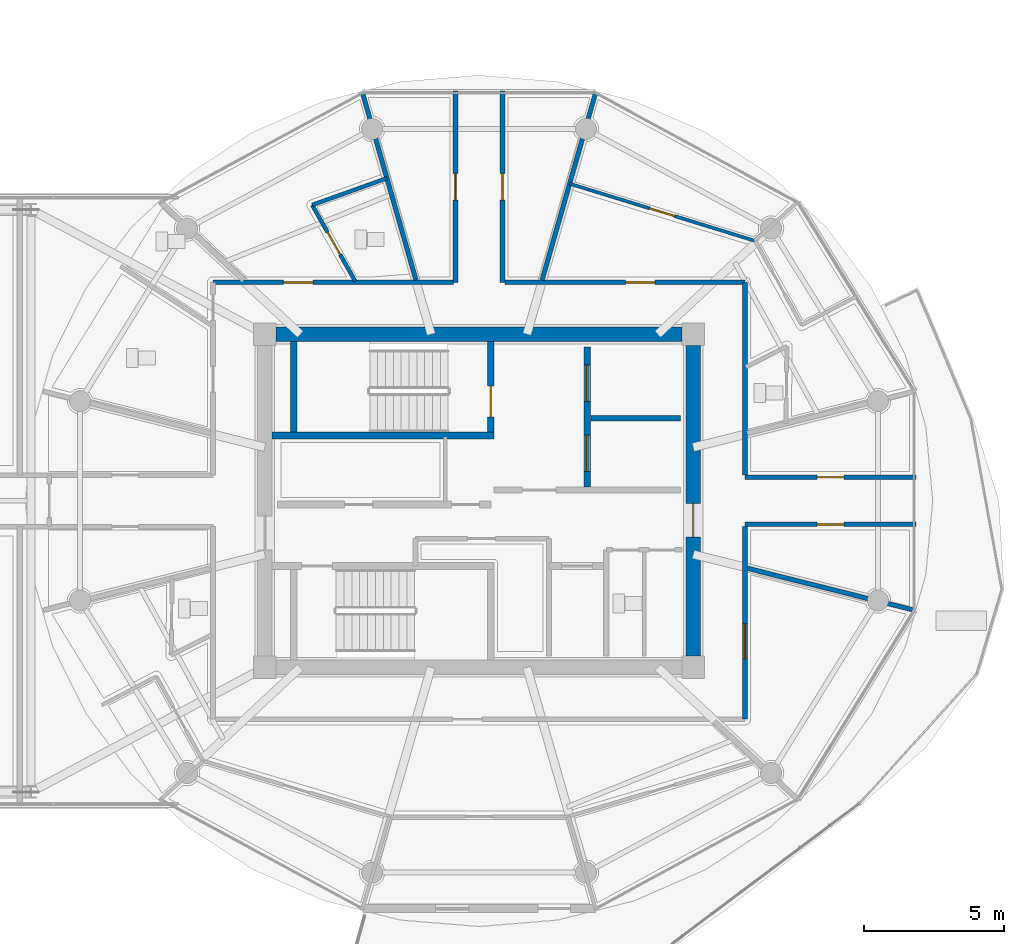
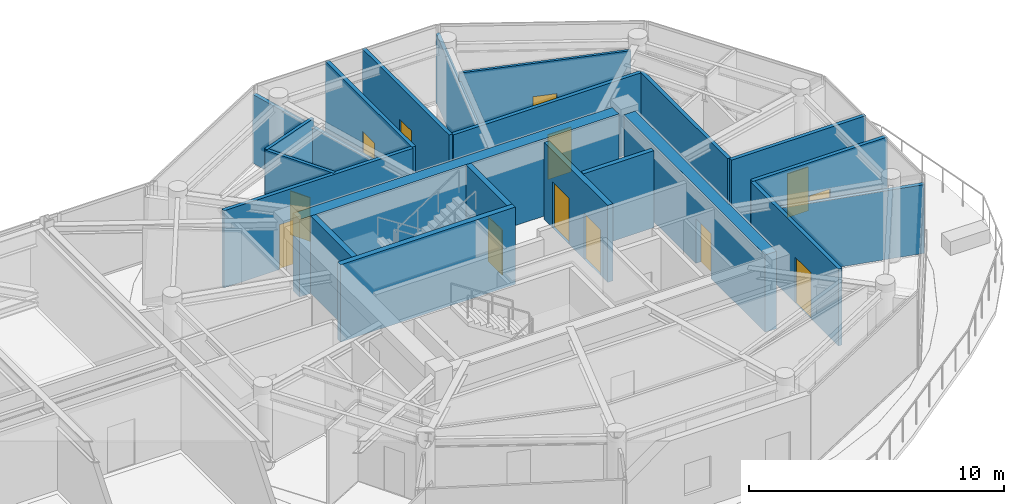
# One storey, part 19 of 31: 21 walls, 13 doors, 13 openings.
"""IFC4 building model written with IfcOpenShell, lengths in metres."""

from ifc_helpers import new_model, si_unit, direction, frame, frame_2d, origin, place, context, subcontext, project, spatial, rectangle, extrude, source, transform, mapped, material, layer, layer_set, type_object, type_shapes, element, fill, save


model = new_model("IFC4")

# Units and contexts
model_context = context("Model", 3, precision=1e-05, world=origin(), true_north=direction((0.0, 1.0)))
body_context = subcontext(model_context, "Body", "Model", "MODEL_VIEW")
ifc_project = project(units=[si_unit("LENGTHUNIT", "METRE"), si_unit("AREAUNIT", "SQUARE_METRE"), si_unit("VOLUMEUNIT", "CUBIC_METRE"), si_unit("PLANEANGLEUNIT", "RADIAN"), si_unit("MASSUNIT", "GRAM", prefix="KILO")], contexts=[model_context])

# Site, building, storey
site_placement = place(None, origin())
site = spatial("IfcSite", under=ifc_project, at=site_placement, CompositionType="ELEMENT")
building_placement = place(site_placement, origin())
building = spatial("IfcBuilding", under=site, at=building_placement, Name="Norrkilde Senior Care Towers", CompositionType="ELEMENT")
storey_placement = place(building_placement, frame((0.0, 0.0, 199.800048828125)))
storey = spatial("IfcBuildingStorey", under=building, at=storey_placement, Name="L62", CompositionType="ELEMENT", Elevation=199.800048828125)

# Wall
ifc_material_1 = material(Name="Concrete C50/60", Category="concrete")
ifc_layer_1 = layer(ifc_material_1, 0.52001953125)
ifc_layer_set_1 = layer_set([ifc_layer_1], Name="Concrete C50/60")
wall_type_1 = type_object("IfcWallType", Name="Core Shear Wall Z4 520", PredefinedType="SHEAR", material=ifc_layer_set_1)
shared_shape_1 = source(origin(), body_context, "Body", "SweptSolid", [
    extrude(rectangle(XDim=14.5, YDim=0.52001953125, at=frame_2d((7.25, 0.0))), origin(), (0.0, 0.0, 1.0), 3.7099609375),
])
wall_1_placement = place(storey_placement, frame((20.75, 5.949951171875, 0.0), z_axis=(0.0, 0.0, 1.0), x_axis=(1.0, 0.0, 0.0)))
element("IfcWall", 1, at=wall_1_placement, inside=storey, type_object=wall_type_1, Name="L62 Core E North Shear Wall", PredefinedType="SHEAR", context=body_context, shape_type="MappedRepresentation", body=[
    mapped(shared_shape_1, transform((0.0, 0.0, 0.0), x_axis=(1.0, 0.0, 0.0), y_axis=(0.0, 1.0, 0.0), z_axis=(0.0, 0.0, 1.0), scale=1.0)),
])

# Wall, opening, door
shared_shape_2 = source(origin(), body_context, "Body", "SweptSolid", [
    extrude(rectangle(XDim=11.10009765625, YDim=0.52001953125, at=frame_2d((5.550048828125, 0.0))), origin(), (0.0, 0.0, 1.0), 3.7099609375),
])
type_shapes(wall_type_1, [shared_shape_1, shared_shape_2])
wall_2_placement = place(storey_placement, frame((35.64990234375, 5.550048828125, 0.0), z_axis=(0.0, 0.0, 1.0), x_axis=(0.0, -1.0, 0.0)))
wall_2 = element("IfcWall", 2, at=wall_2_placement, inside=storey, type_object=wall_type_1, Name="L62 Core E East Shear Wall", PredefinedType="SHEAR", context=body_context, shape_type="MappedRepresentation", body=[
    mapped(shared_shape_2, transform((0.0, 0.0, 0.0), x_axis=(1.0, 0.0, 0.0), y_axis=(0.0, 1.0, 0.0), z_axis=(0.0, 0.0, 1.0), scale=1.0)),
])
opening_1_placement = place(wall_2_placement, frame((5.64990234375, 0.0, 0.0)))
opening_1 = element("IfcOpeningElement", 3, at=opening_1_placement, cuts=wall_2, Name="Opening D-04", PredefinedType="OPENING", context=body_context, shape_type="SweptSolid", body=[
    extrude(rectangle(XDim=1.199951171875, YDim=2.14990234375, at=frame_2d((0.60009765625, 1.074951171875))), frame((0.0, 0.27001953125, 0.0), z_axis=(0.0, -1.0, 0.0), x_axis=(1.0, 0.0, 0.0)), (0.0, 0.0, 1.0), 0.5400390625),
])
ifc_material_2 = material(Name="Galvanised Painted Steel", Category="steel")
door_type_1 = type_object("IfcDoorType", Name="Firefighting Lobby Fire Door 1200x2150", OperationType="NOTDEFINED", PredefinedType="DOOR", material=ifc_material_2)
shared_shape_3 = source(origin(), body_context, "Body", "SweptSolid", [
    extrude(rectangle(XDim=1.199951171875, YDim=2.14990234375, at=frame_2d((0.60009765625, 1.074951171875))), frame((0.0, 0.02490234375, 0.0), z_axis=(0.0, -1.0, 0.0), x_axis=(1.0, 0.0, 0.0)), (0.0, 0.0, 1.0), 0.050048828125),
])
type_shapes(door_type_1, [shared_shape_3])
door_1_placement = place(opening_1_placement, frame((1.199951171875, 0.0, 0.0), z_axis=(0.0, 0.0, 1.0), x_axis=(-1.0, 0.0, 0.0)))
door_1 = element("IfcDoor", 4, at=door_1_placement, inside=storey, type_object=door_type_1, Name="L62 Core E East Portal Door", OperationType="SINGLE_SWING_RIGHT", OverallHeight=2.14990234375, OverallWidth=1.199951171875, PredefinedType="DOOR", context=body_context, shape_type="MappedRepresentation", body=[
    mapped(shared_shape_3, transform((0.0, 0.0, 0.0), x_axis=(1.0, 0.0, 0.0), y_axis=(0.0, 1.0, 0.0), z_axis=(0.0, 0.0, 1.0), scale=1.0)),
])
fill(opening_1, door_1)

# Walls
ifc_material_3 = material(Name="Concrete C45/55", Category="concrete")
ifc_layer_2 = layer(ifc_material_3, 0.239990234375)
ifc_layer_set_2 = layer_set([ifc_layer_2], Name="Concrete C45/55")
wall_type_2 = type_object("IfcWallType", Name="Shaft and Stair Enclosure Wall 240", PredefinedType="PARTITIONING", material=ifc_layer_set_2)
shared_shape_4 = source(origin(), body_context, "Body", "SweptSolid", [
    extrude(rectangle(XDim=7.929931640625, YDim=0.239990234375, at=frame_2d((3.96484375, 0.0))), origin(), (0.0, 0.0, 1.0), 3.7099609375),
])
wall_3_placement = place(storey_placement, frame((20.610107421875, 2.330078125, 0.0), z_axis=(0.0, 0.0, 1.0), x_axis=(1.0, 0.0, 0.0)))
element("IfcWall", 5, at=wall_3_placement, inside=storey, type_object=wall_type_2, Name="WL-INT-L62-E-ST1S", PredefinedType="PARTITIONING", context=body_context, shape_type="MappedRepresentation", body=[
    mapped(shared_shape_4, transform((0.0, 0.0, 0.0), x_axis=(1.0, 0.0, 0.0), y_axis=(0.0, 1.0, 0.0), z_axis=(0.0, 0.0, 1.0), scale=1.0)),
])
shared_shape_5 = source(origin(), body_context, "Body", "SweptSolid", [
    extrude(rectangle(XDim=3.239990234375, YDim=0.239990234375, at=frame_2d((1.6201171875, 0.0))), origin(), (0.0, 0.0, 1.0), 3.7099609375),
])
type_shapes(wall_type_2, [shared_shape_4, shared_shape_5])
wall_4_placement = place(storey_placement, frame((21.3798828125, 2.449951171875, 0.0), z_axis=(0.0, 0.0, 1.0), x_axis=(0.0, 1.0, 0.0)))
element("IfcWall", 6, at=wall_4_placement, inside=storey, type_object=wall_type_2, Name="WL-INT-L62-E-ST1W", PredefinedType="PARTITIONING", context=body_context, shape_type="MappedRepresentation", body=[
    mapped(shared_shape_5, transform((0.0, 0.0, 0.0), x_axis=(1.0, 0.0, 0.0), y_axis=(0.0, 1.0, 0.0), z_axis=(0.0, 0.0, 1.0), scale=1.0)),
])

# Wall, opening, door
wall_5_placement = place(storey_placement, frame((28.419921875, 2.449951171875, 0.0), z_axis=(0.0, 0.0, 1.0), x_axis=(0.0, 1.0, 0.0)))
wall_5 = element("IfcWall", 7, at=wall_5_placement, inside=storey, type_object=wall_type_2, Name="WL-INT-L62-E-ST1E", PredefinedType="PARTITIONING", context=body_context, shape_type="MappedRepresentation", body=[
    mapped(shared_shape_5, transform((0.0, 0.0, 0.0), x_axis=(1.0, 0.0, 0.0), y_axis=(0.0, 1.0, 0.0), z_axis=(0.0, 0.0, 1.0), scale=1.0)),
])
opening_2_placement = place(wall_5_placement, frame((0.550048828125, 0.0, 0.0)))
opening_2 = element("IfcOpeningElement", 8, at=opening_2_placement, cuts=wall_5, Name="Opening D-03", PredefinedType="OPENING", context=body_context, shape_type="SweptSolid", body=[
    extrude(rectangle(XDim=1.10009765625, YDim=2.14990234375, at=frame_2d((0.550048828125, 1.074951171875))), frame((0.0, 0.1298828125, 0.0), z_axis=(0.0, -1.0, 0.0), x_axis=(1.0, 0.0, 0.0)), (0.0, 0.0, 1.0), 0.260009765625),
])
door_type_2 = type_object("IfcDoorType", Name="Stairwell Protected Fire Door 1100x2150", OperationType="NOTDEFINED", PredefinedType="DOOR", material=ifc_material_2)
shared_shape_6 = source(origin(), body_context, "Body", "SweptSolid", [
    extrude(rectangle(XDim=1.10009765625, YDim=2.14990234375, at=frame_2d((0.550048828125, 1.074951171875))), frame((0.0, 0.02490234375, 0.0), z_axis=(0.0, -1.0, 0.0), x_axis=(1.0, 0.0, 0.0)), (0.0, 0.0, 1.0), 0.050048828125),
])
type_shapes(door_type_2, [shared_shape_6])
door_2_placement = place(opening_2_placement, origin())
door_2 = element("IfcDoor", 9, at=door_2_placement, inside=storey, type_object=door_type_2, Name="L62 Stair E1 Fire Door", OperationType="SINGLE_SWING_LEFT", OverallHeight=2.14990234375, OverallWidth=1.10009765625, PredefinedType="DOOR", context=body_context, shape_type="MappedRepresentation", body=[
    mapped(shared_shape_6, transform((0.0, 0.0, 0.0), x_axis=(1.0, 0.0, 0.0), y_axis=(0.0, 1.0, 0.0), z_axis=(0.0, 0.0, 1.0), scale=1.0)),
])
fill(opening_2, door_2)

# Wall, openings, doors
ifc_layer_3 = layer(ifc_material_3, 0.239990234375)
ifc_layer_set_3 = layer_set([ifc_layer_3], Name="Concrete C45/55")
wall_type_3 = type_object("IfcWallType", Name="Lift and Plant Rated Enclosure Partition 240", PredefinedType="PARTITIONING", material=ifc_layer_set_3)
shared_shape_7 = source(origin(), body_context, "Body", "SweptSolid", [
    extrude(rectangle(XDim=5.0, YDim=0.239990234375, at=frame_2d((2.5, 0.0))), origin(), (0.0, 0.0, 1.0), 3.695068359375),
])
type_shapes(wall_type_3, [shared_shape_7])
wall_6_placement = place(storey_placement, frame((31.860107421875, 0.5, 0.0), z_axis=(0.0, 0.0, 1.0), x_axis=(0.0, 1.0, 0.0)))
wall_6 = element("IfcWall", 10, at=wall_6_placement, inside=storey, type_object=wall_type_3, Name="WL-INT-L62-E-FFLE", PredefinedType="PARTITIONING", context=body_context, shape_type="MappedRepresentation", body=[
    mapped(shared_shape_7, transform((0.0, 0.0, 0.0), x_axis=(1.0, 0.0, 0.0), y_axis=(0.0, 1.0, 0.0), z_axis=(0.0, 0.0, 1.0), scale=1.0)),
])
opening_3_placement = place(wall_6_placement, frame((3.050048828125, 0.0, 0.0)))
opening_3 = element("IfcOpeningElement", 11, at=opening_3_placement, cuts=wall_6, Name="Opening LD-02", PredefinedType="OPENING", context=body_context, shape_type="SweptSolid", body=[
    extrude(rectangle(XDim=1.300048828125, YDim=2.199951171875, at=frame_2d((0.64990234375, 1.10009765625))), frame((0.0, 0.1298828125, 0.0), z_axis=(0.0, -1.0, 0.0), x_axis=(1.0, 0.0, 0.0)), (0.0, 0.0, 1.0), 0.260009765625),
])
opening_4_placement = place(wall_6_placement, frame((0.550048828125, 0.0, 0.0)))
opening_4 = element("IfcOpeningElement", 12, at=opening_4_placement, cuts=wall_6, Name="Opening LD-02", PredefinedType="OPENING", context=body_context, shape_type="SweptSolid", body=[
    extrude(rectangle(XDim=1.300048828125, YDim=2.199951171875, at=frame_2d((0.64990234375, 1.10009765625))), frame((0.0, 0.1298828125, 0.0), z_axis=(0.0, -1.0, 0.0), x_axis=(1.0, 0.0, 0.0)), (0.0, 0.0, 1.0), 0.260009765625),
])
ifc_material_4 = material(Name="Stainless Steel", Category="steel")
door_type_3 = type_object("IfcDoorType", Name="Stretcher and FFL Landing Sliding Door 1300x2200", OperationType="NOTDEFINED", PredefinedType="DOOR", material=ifc_material_4)
shared_shape_8 = source(origin(), body_context, "Body", "SweptSolid", [
    extrude(rectangle(XDim=1.300048828125, YDim=2.199951171875, at=frame_2d((0.64990234375, 1.10009765625))), frame((0.0, 0.02490234375, 0.0), z_axis=(0.0, -1.0, 0.0), x_axis=(1.0, 0.0, 0.0)), (0.0, 0.0, 1.0), 0.050048828125),
])
type_shapes(door_type_3, [shared_shape_8])
door_3_placement = place(opening_3_placement, origin())
door_3 = element("IfcDoor", 13, at=door_3_placement, inside=storey, type_object=door_type_3, Name="L62 Firefighting Lift E1 Landing Door", OperationType="SLIDING_TO_LEFT", OverallHeight=2.199951171875, OverallWidth=1.300048828125, PredefinedType="DOOR", context=body_context, shape_type="MappedRepresentation", body=[
    mapped(shared_shape_8, transform((0.0, 0.0, 0.0), x_axis=(1.0, 0.0, 0.0), y_axis=(0.0, 1.0, 0.0), z_axis=(0.0, 0.0, 1.0), scale=1.0)),
])
fill(opening_3, door_3)
door_4_placement = place(opening_4_placement, origin())
door_4 = element("IfcDoor", 14, at=door_4_placement, inside=storey, type_object=door_type_3, Name="L62 Stretcher Lift E1 Landing Door", OperationType="SLIDING_TO_RIGHT", OverallHeight=2.199951171875, OverallWidth=1.300048828125, PredefinedType="DOOR", context=body_context, shape_type="MappedRepresentation", body=[
    mapped(shared_shape_8, transform((0.0, 0.0, 0.0), x_axis=(1.0, 0.0, 0.0), y_axis=(0.0, 1.0, 0.0), z_axis=(0.0, 0.0, 1.0), scale=1.0)),
])
fill(opening_4, door_4)

# Wall
ifc_layer_4 = layer(ifc_material_3, 0.199951171875)
ifc_layer_set_4 = layer_set([ifc_layer_4], Name="Concrete C45/55")
wall_type_4 = type_object("IfcWallType", Name="Shaft Division and Plant Partition 200", PredefinedType="PARTITIONING", material=ifc_layer_set_4)
shared_shape_9 = source(origin(), body_context, "Body", "SweptSolid", [
    extrude(rectangle(XDim=3.199951171875, YDim=0.199951171875, at=frame_2d((1.60009765625, 0.0))), origin(), (0.0, 0.0, 1.0), 3.695068359375),
])
type_shapes(wall_type_4, [shared_shape_9])
wall_7_placement = place(storey_placement, frame((32.0, 2.949951171875, 0.0), z_axis=(0.0, 0.0, 1.0), x_axis=(1.0, 0.0, 0.0)))
element("IfcWall", 15, at=wall_7_placement, inside=storey, type_object=wall_type_4, Name="WL-INT-L62-E-FFLDIV", PredefinedType="PARTITIONING", context=body_context, shape_type="MappedRepresentation", body=[
    mapped(shared_shape_9, transform((0.0, 0.0, 0.0), x_axis=(1.0, 0.0, 0.0), y_axis=(0.0, 1.0, 0.0), z_axis=(0.0, 0.0, 1.0), scale=1.0)),
])

# Wall, opening, door
ifc_material_5 = material(Name="Gypsum Acoustic Board")
ifc_layer_5 = layer(ifc_material_5, 0.1650390625)
ifc_layer_set_5 = layer_set([ifc_layer_5], Name="Gypsum Acoustic Board")
wall_type_5 = type_object("IfcWallType", Name="Corridor Rated Partition 165", PredefinedType="PARTITIONING", material=ifc_layer_set_5)
shared_shape_10 = source(origin(), body_context, "Body", "SweptSolid", [
    extrude(rectangle(XDim=8.580078125, YDim=0.1650390625, at=frame_2d((4.2900390625, 0.0))), origin(), (0.0, 0.0, 1.0), 3.695068359375),
])
wall_8_placement = place(storey_placement, frame((18.5, 7.800048828125, 0.0), z_axis=(0.0, 0.0, 1.0), x_axis=(1.0, 0.0, 0.0)))
wall_8 = element("IfcWall", 16, at=wall_8_placement, inside=storey, type_object=wall_type_5, Name="WL-INT-L62-E-CRW-N-0", PredefinedType="PARTITIONING", context=body_context, shape_type="MappedRepresentation", body=[
    mapped(shared_shape_10, transform((0.0, 0.0, 0.0), x_axis=(1.0, 0.0, 0.0), y_axis=(0.0, 1.0, 0.0), z_axis=(0.0, 0.0, 1.0), scale=1.0)),
])
opening_5_placement = place(wall_8_placement, frame((2.5146484375, 0.0, 0.0)))
opening_5 = element("IfcOpeningElement", 17, at=opening_5_placement, cuts=wall_8, Name="Opening D-06", PredefinedType="OPENING", context=body_context, shape_type="SweptSolid", body=[
    extrude(rectangle(XDim=1.050048828125, YDim=2.14990234375, at=frame_2d((0.52490234375, 1.074951171875))), frame((0.0, 0.092529296875, 0.0), z_axis=(0.0, -1.0, 0.0), x_axis=(1.0, 0.0, 0.0)), (0.0, 0.0, 1.0), 0.18505859375),
])
ifc_material_6 = material(Name="Nordic Ash Timber", Category="wood")
door_type_4 = type_object("IfcDoorType", Name="Apartment Entrance Fire Door 1050x2150", OperationType="NOTDEFINED", PredefinedType="DOOR", material=ifc_material_6)
shared_shape_11 = source(origin(), body_context, "Body", "SweptSolid", [
    extrude(rectangle(XDim=1.050048828125, YDim=2.14990234375, at=frame_2d((0.52490234375, 1.074951171875))), frame((0.0, 0.02490234375, 0.0), z_axis=(0.0, -1.0, 0.0), x_axis=(1.0, 0.0, 0.0)), (0.0, 0.0, 1.0), 0.050048828125),
])
type_shapes(door_type_4, [shared_shape_11])
door_5_placement = place(opening_5_placement, frame((1.050048828125, 0.0, 0.0), z_axis=(0.0, 0.0, 1.0), x_axis=(-1.0, 0.0, 0.0)))
door_5 = element("IfcDoor", 18, at=door_5_placement, inside=storey, type_object=door_type_4, Name="L62 Studio 62B Entrance Door", OperationType="SINGLE_SWING_RIGHT", OverallHeight=2.14990234375, OverallWidth=1.050048828125, PredefinedType="DOOR", context=body_context, shape_type="MappedRepresentation", body=[
    mapped(shared_shape_11, transform((0.0, 0.0, 0.0), x_axis=(1.0, 0.0, 0.0), y_axis=(0.0, 1.0, 0.0), z_axis=(0.0, 0.0, 1.0), scale=1.0)),
])
fill(opening_5, door_5)

wall_9_placement = place(storey_placement, frame((28.919921875, 7.800048828125, 0.0), z_axis=(0.0, 0.0, 1.0), x_axis=(1.0, 0.0, 0.0)))
wall_9 = element("IfcWall", 19, at=wall_9_placement, inside=storey, type_object=wall_type_5, Name="WL-INT-L62-E-CRW-N-1", PredefinedType="PARTITIONING", context=body_context, shape_type="MappedRepresentation", body=[
    mapped(shared_shape_10, transform((0.0, 0.0, 0.0), x_axis=(1.0, 0.0, 0.0), y_axis=(0.0, 1.0, 0.0), z_axis=(0.0, 0.0, 1.0), scale=1.0)),
])
opening_6_placement = place(wall_9_placement, frame((4.31982421875, 0.0, 0.0)))
opening_6 = element("IfcOpeningElement", 20, at=opening_6_placement, cuts=wall_9, Name="Opening D-06", PredefinedType="OPENING", context=body_context, shape_type="SweptSolid", body=[
    extrude(rectangle(XDim=1.050048828125, YDim=2.14990234375, at=frame_2d((0.52490234375, 1.074951171875))), frame((0.0, 0.092529296875, 0.0), z_axis=(0.0, -1.0, 0.0), x_axis=(1.0, 0.0, 0.0)), (0.0, 0.0, 1.0), 0.18505859375),
])
door_6_placement = place(opening_6_placement, frame((1.050048828125, 0.0, 0.0), z_axis=(0.0, 0.0, 1.0), x_axis=(-1.0, 0.0, 0.0)))
door_6 = element("IfcDoor", 21, at=door_6_placement, inside=storey, type_object=door_type_4, Name="Apartment 62A Entrance Door", OperationType="SINGLE_SWING_LEFT", OverallHeight=2.14990234375, OverallWidth=1.050048828125, PredefinedType="DOOR", context=body_context, shape_type="MappedRepresentation", body=[
    mapped(shared_shape_11, transform((0.0, 0.0, 0.0), x_axis=(1.0, 0.0, 0.0), y_axis=(0.0, 1.0, 0.0), z_axis=(0.0, 0.0, 1.0), scale=1.0)),
])
fill(opening_6, door_6)

# Wall
shared_shape_12 = source(origin(), body_context, "Body", "SweptSolid", [
    extrude(rectangle(XDim=6.880126953125, YDim=0.1650390625, at=frame_2d((3.43994140625, 0.0))), origin(), (0.0, 0.0, 1.0), 3.695068359375),
])
wall_10_placement = place(storey_placement, frame((37.5, 7.800048828125, 0.0), z_axis=(0.0, 0.0, 1.0), x_axis=(0.0, -1.0, 0.0)))
element("IfcWall", 22, at=wall_10_placement, inside=storey, type_object=wall_type_5, Name="WL-INT-L62-E-CRW-E-0", PredefinedType="PARTITIONING", context=body_context, shape_type="MappedRepresentation", body=[
    mapped(shared_shape_12, transform((0.0, 0.0, 0.0), x_axis=(1.0, 0.0, 0.0), y_axis=(0.0, 1.0, 0.0), z_axis=(0.0, 0.0, 1.0), scale=1.0)),
])

# Wall, opening, door
wall_11_placement = place(storey_placement, frame((37.5, -0.919921875, 0.0), z_axis=(0.0, 0.0, 1.0), x_axis=(0.0, -1.0, 0.0)))
wall_11 = element("IfcWall", 23, at=wall_11_placement, inside=storey, type_object=wall_type_5, Name="WL-INT-L62-E-CRW-E-1", PredefinedType="PARTITIONING", context=body_context, shape_type="MappedRepresentation", body=[
    mapped(shared_shape_12, transform((0.0, 0.0, 0.0), x_axis=(1.0, 0.0, 0.0), y_axis=(0.0, 1.0, 0.0), z_axis=(0.0, 0.0, 1.0), scale=1.0)),
])
opening_7_placement = place(wall_11_placement, frame((3.46435546875, 0.0, 0.0)))
opening_7 = element("IfcOpeningElement", 24, at=opening_7_placement, cuts=wall_11, Name="Opening D-05", PredefinedType="OPENING", context=body_context, shape_type="SweptSolid", body=[
    extrude(rectangle(XDim=1.25, YDim=2.199951171875, at=frame_2d((0.625, 1.10009765625))), frame((0.0, 0.092529296875, 0.0), z_axis=(0.0, -1.0, 0.0), x_axis=(1.0, 0.0, 0.0)), (0.0, 0.0, 1.0), 0.18505859375),
])
door_type_5 = type_object("IfcDoorType", Name="Care Bedroom Bariatric Door 1250x2200", OperationType="NOTDEFINED", PredefinedType="DOOR", material=ifc_material_6)
shared_shape_13 = source(origin(), body_context, "Body", "SweptSolid", [
    extrude(rectangle(XDim=1.25, YDim=2.199951171875, at=frame_2d((0.625, 1.10009765625))), frame((0.0, 0.02490234375, 0.0), z_axis=(0.0, -1.0, 0.0), x_axis=(1.0, 0.0, 0.0)), (0.0, 0.0, 1.0), 0.050048828125),
])
type_shapes(door_type_5, [shared_shape_13])
door_7_placement = place(opening_7_placement, frame((1.25, 0.0, 0.0), z_axis=(0.0, 0.0, 1.0), x_axis=(-1.0, 0.0, 0.0)))
door_7 = element("IfcDoor", 25, at=door_7_placement, inside=storey, type_object=door_type_5, Name="L62 Senior Wellness Library Lounge Door", OperationType="SINGLE_SWING_LEFT", OverallHeight=2.199951171875, OverallWidth=1.25, PredefinedType="DOOR", context=body_context, shape_type="MappedRepresentation", body=[
    mapped(shared_shape_13, transform((0.0, 0.0, 0.0), x_axis=(1.0, 0.0, 0.0), y_axis=(0.0, 1.0, 0.0), z_axis=(0.0, 0.0, 1.0), scale=1.0)),
])
fill(opening_7, door_7)

# Walls
shared_shape_14 = source(origin(), body_context, "Body", "SweptSolid", [
    extrude(rectangle(XDim=6.973876953125, YDim=0.1650390625, at=frame_2d((3.48681640625, 0.0))), origin(), (0.0, 0.0, 1.0), 3.294921875),
])
for number, where, z_axis, x_axis, name in (
    (26, (30.251220703125, 7.8798828125, 0.0), (0.0, 0.0, 1.0), (0.274707256801, 0.961527910703, 0.0), "WL-INT-L62-E-DEM-02-0"),
    (27, (25.748779296875, 7.8798828125, 0.0), (0.0, 0.0, 1.0), (-0.274707256801, 0.961527910703, 0.0), "WL-INT-L62-E-DEM-03-0"),
):
    element("IfcWall", number, at=place(storey_placement, frame(where, z_axis=z_axis, x_axis=x_axis)), inside=storey, type_object=wall_type_5, Name=name, PredefinedType="PARTITIONING", context=body_context, shape_type="MappedRepresentation", body=[
        mapped(shared_shape_14, transform((0.0, 0.0, 0.0), x_axis=(1.0, 0.0, 0.0), y_axis=(0.0, 1.0, 0.0), z_axis=(0.0, 0.0, 1.0), scale=1.0)),
    ])
shared_shape_15 = source(origin(), body_context, "Body", "SweptSolid", [
    extrude(rectangle(XDim=6.1572265625, YDim=0.1650390625, at=frame_2d((3.07861328125, 0.0))), origin(), (0.0, 0.0, 1.0), 3.294921875),
])
wall_12_placement = place(storey_placement, frame((37.580078125, -2.407470703125, 0.0), z_axis=(0.0, 0.0, 1.0), x_axis=(0.969840867184, -0.243738984038, 0.0)))
element("IfcWall", 28, at=wall_12_placement, inside=storey, type_object=wall_type_5, Name="WL-INT-L62-E-DEM-11-0", PredefinedType="PARTITIONING", context=body_context, shape_type="MappedRepresentation", body=[
    mapped(shared_shape_15, transform((0.0, 0.0, 0.0), x_axis=(1.0, 0.0, 0.0), y_axis=(0.0, 1.0, 0.0), z_axis=(0.0, 0.0, 1.0), scale=1.0)),
])

# Wall, opening, door
shared_shape_16 = source(origin(), body_context, "Body", "SweptSolid", [
    extrude(rectangle(XDim=6.83544921875, YDim=0.1650390625, at=frame_2d((3.417724609375, 0.0))), origin(), (0.0, 0.0, 1.0), 3.695068359375),
])
wall_13_placement = place(storey_placement, frame((27.159912109375, 7.800048828125, 0.0), z_axis=(0.0, 0.0, 1.0), x_axis=(0.0, 1.0, 0.0)))
wall_13 = element("IfcWall", 29, at=wall_13_placement, inside=storey, type_object=wall_type_5, Name="WL-INT-L62-E-SPK-N1-0", PredefinedType="PARTITIONING", context=body_context, shape_type="MappedRepresentation", body=[
    mapped(shared_shape_16, transform((0.0, 0.0, 0.0), x_axis=(1.0, 0.0, 0.0), y_axis=(0.0, 1.0, 0.0), z_axis=(0.0, 0.0, 1.0), scale=1.0)),
])
opening_8_placement = place(wall_13_placement, frame((2.942626953125, 0.0, 0.0)))
opening_8 = element("IfcOpeningElement", 30, at=opening_8_placement, cuts=wall_13, Name="Opening D-07", PredefinedType="OPENING", context=body_context, shape_type="SweptSolid", body=[
    extrude(rectangle(XDim=0.949951171875, YDim=2.10009765625, at=frame_2d((0.47509765625, 1.050048828125))), frame((0.0, 0.092529296875, 0.0), z_axis=(0.0, -1.0, 0.0), x_axis=(1.0, 0.0, 0.0)), (0.0, 0.0, 1.0), 0.18505859375),
])
door_type_6 = type_object("IfcDoorType", Name="Internal Suite Bedroom Door 950x2100", OperationType="NOTDEFINED", PredefinedType="DOOR", material=ifc_material_6)
shared_shape_17 = source(origin(), body_context, "Body", "SweptSolid", [
    extrude(rectangle(XDim=0.949951171875, YDim=2.10009765625, at=frame_2d((0.47509765625, 1.050048828125))), frame((0.0, 0.02490234375, 0.0), z_axis=(0.0, -1.0, 0.0), x_axis=(1.0, 0.0, 0.0)), (0.0, 0.0, 1.0), 0.050048828125),
])
type_shapes(door_type_6, [shared_shape_17])
door_8_placement = place(opening_8_placement, frame((0.949951171875, 0.0, 0.0), z_axis=(0.0, 0.0, 1.0), x_axis=(-1.0, 0.0, 0.0)))
door_8 = element("IfcDoor", 31, at=door_8_placement, inside=storey, type_object=door_type_6, Name="L62 Sun Reading Lounge 3 Door", OperationType="SINGLE_SWING_RIGHT", OverallHeight=2.10009765625, OverallWidth=0.949951171875, PredefinedType="DOOR", context=body_context, shape_type="MappedRepresentation", body=[
    mapped(shared_shape_17, transform((0.0, 0.0, 0.0), x_axis=(1.0, 0.0, 0.0), y_axis=(0.0, 1.0, 0.0), z_axis=(0.0, 0.0, 1.0), scale=1.0)),
])
fill(opening_8, door_8)

wall_14_placement = place(storey_placement, frame((28.840087890625, 14.635498046875, 0.0), z_axis=(0.0, 0.0, 1.0), x_axis=(0.0, -1.0, 0.0)))
wall_14 = element("IfcWall", 32, at=wall_14_placement, inside=storey, type_object=wall_type_5, Name="WL-INT-L62-E-SPK-N2-0", PredefinedType="PARTITIONING", context=body_context, shape_type="MappedRepresentation", body=[
    mapped(shared_shape_16, transform((0.0, 0.0, 0.0), x_axis=(1.0, 0.0, 0.0), y_axis=(0.0, 1.0, 0.0), z_axis=(0.0, 0.0, 1.0), scale=1.0)),
])
opening_9_placement = place(wall_14_placement, frame((2.942626953125, 0.0, 0.0)))
opening_9 = element("IfcOpeningElement", 33, at=opening_9_placement, cuts=wall_14, Name="Opening D-07", PredefinedType="OPENING", context=body_context, shape_type="SweptSolid", body=[
    extrude(rectangle(XDim=0.949951171875, YDim=2.10009765625, at=frame_2d((0.47509765625, 1.050048828125))), frame((0.0, 0.092529296875, 0.0), z_axis=(0.0, -1.0, 0.0), x_axis=(1.0, 0.0, 0.0)), (0.0, 0.0, 1.0), 0.18505859375),
])
door_9_placement = place(opening_9_placement, frame((0.949951171875, 0.0, 0.0), z_axis=(0.0, 0.0, 1.0), x_axis=(-1.0, 0.0, 0.0)))
door_9 = element("IfcDoor", 34, at=door_9_placement, inside=storey, type_object=door_type_6, Name="L62 Sun Reading Lounge 4 Door", OperationType="SINGLE_SWING_LEFT", OverallHeight=2.10009765625, OverallWidth=0.949951171875, PredefinedType="DOOR", context=body_context, shape_type="MappedRepresentation", body=[
    mapped(shared_shape_17, transform((0.0, 0.0, 0.0), x_axis=(1.0, 0.0, 0.0), y_axis=(0.0, 1.0, 0.0), z_axis=(0.0, 0.0, 1.0), scale=1.0)),
])
fill(opening_9, door_9)

shared_shape_18 = source(origin(), body_context, "Body", "SweptSolid", [
    extrude(rectangle(XDim=6.101318359375, YDim=0.1650390625, at=frame_2d((3.05078125, 0.0))), origin(), (0.0, 0.0, 1.0), 3.695068359375),
])
type_shapes(wall_type_5, [shared_shape_10, shared_shape_12, shared_shape_14, shared_shape_15, shared_shape_16, shared_shape_18])
wall_15_placement = place(storey_placement, frame((37.5, 0.840087890625, 0.0), z_axis=(0.0, 0.0, 1.0), x_axis=(1.0, 0.0, 0.0)))
wall_15 = element("IfcWall", 35, at=wall_15_placement, inside=storey, type_object=wall_type_5, Name="WL-INT-L62-E-SPK-E1-0", PredefinedType="PARTITIONING", context=body_context, shape_type="MappedRepresentation", body=[
    mapped(shared_shape_18, transform((0.0, 0.0, 0.0), x_axis=(1.0, 0.0, 0.0), y_axis=(0.0, 1.0, 0.0), z_axis=(0.0, 0.0, 1.0), scale=1.0)),
])
opening_10_placement = place(wall_15_placement, frame((2.57568359375, 0.0, 0.0)))
opening_10 = element("IfcOpeningElement", 36, at=opening_10_placement, cuts=wall_15, Name="Opening D-07", PredefinedType="OPENING", context=body_context, shape_type="SweptSolid", body=[
    extrude(rectangle(XDim=0.949951171875, YDim=2.10009765625, at=frame_2d((0.47509765625, 1.050048828125))), frame((0.0, 0.092529296875, 0.0), z_axis=(0.0, -1.0, 0.0), x_axis=(1.0, 0.0, 0.0)), (0.0, 0.0, 1.0), 0.18505859375),
])
door_10_placement = place(opening_10_placement, frame((0.949951171875, 0.0, 0.0), z_axis=(0.0, 0.0, 1.0), x_axis=(-1.0, 0.0, 0.0)))
door_10 = element("IfcDoor", 37, at=door_10_placement, inside=storey, type_object=door_type_6, Name="L62 Sun Reading Lounge 6 Door", OperationType="SINGLE_SWING_LEFT", OverallHeight=2.10009765625, OverallWidth=0.949951171875, PredefinedType="DOOR", context=body_context, shape_type="MappedRepresentation", body=[
    mapped(shared_shape_17, transform((0.0, 0.0, 0.0), x_axis=(1.0, 0.0, 0.0), y_axis=(0.0, 1.0, 0.0), z_axis=(0.0, 0.0, 1.0), scale=1.0)),
])
fill(opening_10, door_10)

wall_16_placement = place(storey_placement, frame((43.601318359375, -0.840087890625, 0.0), z_axis=(0.0, 0.0, 1.0), x_axis=(-1.0, 0.0, 0.0)))
wall_16 = element("IfcWall", 38, at=wall_16_placement, inside=storey, type_object=wall_type_5, Name="WL-INT-L62-E-SPK-E2-0", PredefinedType="PARTITIONING", context=body_context, shape_type="MappedRepresentation", body=[
    mapped(shared_shape_18, transform((0.0, 0.0, 0.0), x_axis=(1.0, 0.0, 0.0), y_axis=(0.0, 1.0, 0.0), z_axis=(0.0, 0.0, 1.0), scale=1.0)),
])
opening_11_placement = place(wall_16_placement, frame((2.57568359375, 0.0, 0.0)))
opening_11 = element("IfcOpeningElement", 39, at=opening_11_placement, cuts=wall_16, Name="Opening D-07", PredefinedType="OPENING", context=body_context, shape_type="SweptSolid", body=[
    extrude(rectangle(XDim=0.949951171875, YDim=2.10009765625, at=frame_2d((0.47509765625, 1.050048828125))), frame((0.0, 0.092529296875, 0.0), z_axis=(0.0, -1.0, 0.0), x_axis=(1.0, 0.0, 0.0)), (0.0, 0.0, 1.0), 0.18505859375),
])
door_11_placement = place(opening_11_placement, frame((0.949951171875, 0.0, 0.0), z_axis=(0.0, 0.0, 1.0), x_axis=(-1.0, 0.0, 0.0)))
door_11 = element("IfcDoor", 40, at=door_11_placement, inside=storey, type_object=door_type_6, Name="L62 Sun Reading Lounge 5 Door", OperationType="SINGLE_SWING_RIGHT", OverallHeight=2.10009765625, OverallWidth=0.949951171875, PredefinedType="DOOR", context=body_context, shape_type="MappedRepresentation", body=[
    mapped(shared_shape_17, transform((0.0, 0.0, 0.0), x_axis=(1.0, 0.0, 0.0), y_axis=(0.0, 1.0, 0.0), z_axis=(0.0, 0.0, 1.0), scale=1.0)),
])
fill(opening_11, door_11)

ifc_layer_6 = layer(ifc_material_5, 0.139892578125)
ifc_layer_set_6 = layer_set([ifc_layer_6], Name="Gypsum Acoustic Board")
wall_type_6 = type_object("IfcWallType", Name="En-suite Wet Room Wall 140", PredefinedType="PARTITIONING", material=ifc_layer_set_6)
shared_shape_19 = source(origin(), body_context, "Body", "SweptSolid", [
    extrude(rectangle(XDim=3.14013671875, YDim=0.139892578125, at=frame_2d((1.570068359375, 0.0))), origin(), (0.0, 0.0, 1.0), 3.695068359375),
])
wall_17_placement = place(storey_placement, frame((23.5849609375, 7.830078125, 0.0), z_axis=(0.0, 0.0, 1.0), x_axis=(-0.491132137966, 0.871085083707, 0.0)))
wall_17 = element("IfcWall", 41, at=wall_17_placement, inside=storey, type_object=wall_type_6, Name="WL-INT-L62-E-ES-03", PredefinedType="PARTITIONING", context=body_context, shape_type="MappedRepresentation", body=[
    mapped(shared_shape_19, transform((0.0, 0.0, 0.0), x_axis=(1.0, 0.0, 0.0), y_axis=(0.0, 1.0, 0.0), z_axis=(0.0, 0.0, 1.0), scale=1.0)),
])
opening_12_placement = place(wall_17_placement, frame((1.110107421875, 0.0, 0.0)))
opening_12 = element("IfcOpeningElement", 42, at=opening_12_placement, cuts=wall_17, Name="Opening D-08", PredefinedType="OPENING", context=body_context, shape_type="SweptSolid", body=[
    extrude(rectangle(XDim=0.919921875, YDim=2.10009765625, at=frame_2d((0.4599609375, 1.050048828125))), frame((0.0, 0.079833984375, 0.0), z_axis=(0.0, -1.0, 0.0), x_axis=(1.0, 0.0, 0.0)), (0.0, 0.0, 1.0), 0.159912109375),
])
door_type_7 = type_object("IfcDoorType", Name="Accessible Wet Room Door 920x2100", OperationType="NOTDEFINED", PredefinedType="DOOR", material=ifc_material_6)
shared_shape_20 = source(origin(), body_context, "Body", "SweptSolid", [
    extrude(rectangle(XDim=0.919921875, YDim=2.10009765625, at=frame_2d((0.4599609375, 1.050048828125))), frame((0.0, 0.02490234375, 0.0), z_axis=(0.0, -1.0, 0.0), x_axis=(1.0, 0.0, 0.0)), (0.0, 0.0, 1.0), 0.050048828125),
])
type_shapes(door_type_7, [shared_shape_20])
door_12_placement = place(opening_12_placement, origin())
door_12 = element("IfcDoor", 43, at=door_12_placement, inside=storey, type_object=door_type_7, Name="L62 Studio 62B Bathroom Door", OperationType="SINGLE_SWING_LEFT", OverallHeight=2.10009765625, OverallWidth=0.919921875, PredefinedType="DOOR", context=body_context, shape_type="MappedRepresentation", body=[
    mapped(shared_shape_20, transform((0.0, 0.0, 0.0), x_axis=(1.0, 0.0, 0.0), y_axis=(0.0, 1.0, 0.0), z_axis=(0.0, 0.0, 1.0), scale=1.0)),
])
fill(opening_12, door_12)

# Wall
shared_shape_21 = source(origin(), body_context, "Body", "SweptSolid", [
    extrude(rectangle(XDim=2.8310546875, YDim=0.139892578125, at=frame_2d((1.41552734375, 0.0))), origin(), (0.0, 0.0, 1.0), 3.695068359375),
])
type_shapes(wall_type_6, [shared_shape_19, shared_shape_21])
wall_18_placement = place(storey_placement, frame((22.042724609375, 10.5654296875, 0.0), z_axis=(0.0, 0.0, 1.0), x_axis=(0.941411742535, 0.337259441701, 0.0)))
element("IfcWall", 44, at=wall_18_placement, inside=storey, type_object=wall_type_6, Name="WL-INT-L62-E-EF-03", PredefinedType="PARTITIONING", context=body_context, shape_type="MappedRepresentation", body=[
    mapped(shared_shape_21, transform((0.0, 0.0, 0.0), x_axis=(1.0, 0.0, 0.0), y_axis=(0.0, 1.0, 0.0), z_axis=(0.0, 0.0, 1.0), scale=1.0)),
])

# Wall, opening, door
ifc_layer_7 = layer(ifc_material_5, 0.114990234375)
ifc_layer_set_7 = layer_set([ifc_layer_7], Name="Gypsum Acoustic Board")
wall_type_7 = type_object("IfcWallType", Name="Internal Room Partition 115", PredefinedType="PARTITIONING", material=ifc_layer_set_7)
shared_shape_22 = source(origin(), body_context, "Body", "SweptSolid", [
    extrude(rectangle(XDim=6.919189453125, YDim=0.114990234375, at=frame_2d((3.45947265625, 0.0))), origin(), (0.0, 0.0, 1.0), 3.695068359375),
])
type_shapes(wall_type_7, [shared_shape_22])
wall_19_placement = place(storey_placement, frame((37.8486328125, 9.287109375, 0.0), z_axis=(0.0, 0.0, 1.0), x_axis=(-0.955678249072, 0.294413118341, 0.0)))
wall_19 = element("IfcWall", 45, at=wall_19_placement, inside=storey, type_object=wall_type_7, Name="WL-INT-L62-E-UBC-00-1", PredefinedType="PARTITIONING", context=body_context, shape_type="MappedRepresentation", body=[
    mapped(shared_shape_22, transform((0.0, 0.0, 0.0), x_axis=(1.0, 0.0, 0.0), y_axis=(0.0, 1.0, 0.0), z_axis=(0.0, 0.0, 1.0), scale=1.0)),
])
opening_13_placement = place(wall_19_placement, frame((2.984619140625, 0.0, 0.0)))
opening_13 = element("IfcOpeningElement", 46, at=opening_13_placement, cuts=wall_19, Name="Opening D-07", PredefinedType="OPENING", context=body_context, shape_type="SweptSolid", body=[
    extrude(rectangle(XDim=0.949951171875, YDim=2.10009765625, at=frame_2d((0.47509765625, 1.050048828125))), frame((0.0, 0.0673828125, 0.0), z_axis=(0.0, -1.0, 0.0), x_axis=(1.0, 0.0, 0.0)), (0.0, 0.0, 1.0), 0.135009765625),
])
door_13_placement = place(opening_13_placement, origin())
door_13 = element("IfcDoor", 47, at=door_13_placement, inside=storey, type_object=door_type_6, Name="Apartment 62A Bedroom 1 Door", OperationType="SINGLE_SWING_RIGHT", OverallHeight=2.10009765625, OverallWidth=0.949951171875, PredefinedType="DOOR", context=body_context, shape_type="MappedRepresentation", body=[
    mapped(shared_shape_17, transform((0.0, 0.0, 0.0), x_axis=(1.0, 0.0, 0.0), y_axis=(0.0, 1.0, 0.0), z_axis=(0.0, 0.0, 1.0), scale=1.0)),
])
fill(opening_13, door_13)

save(model, "model.ifc")
